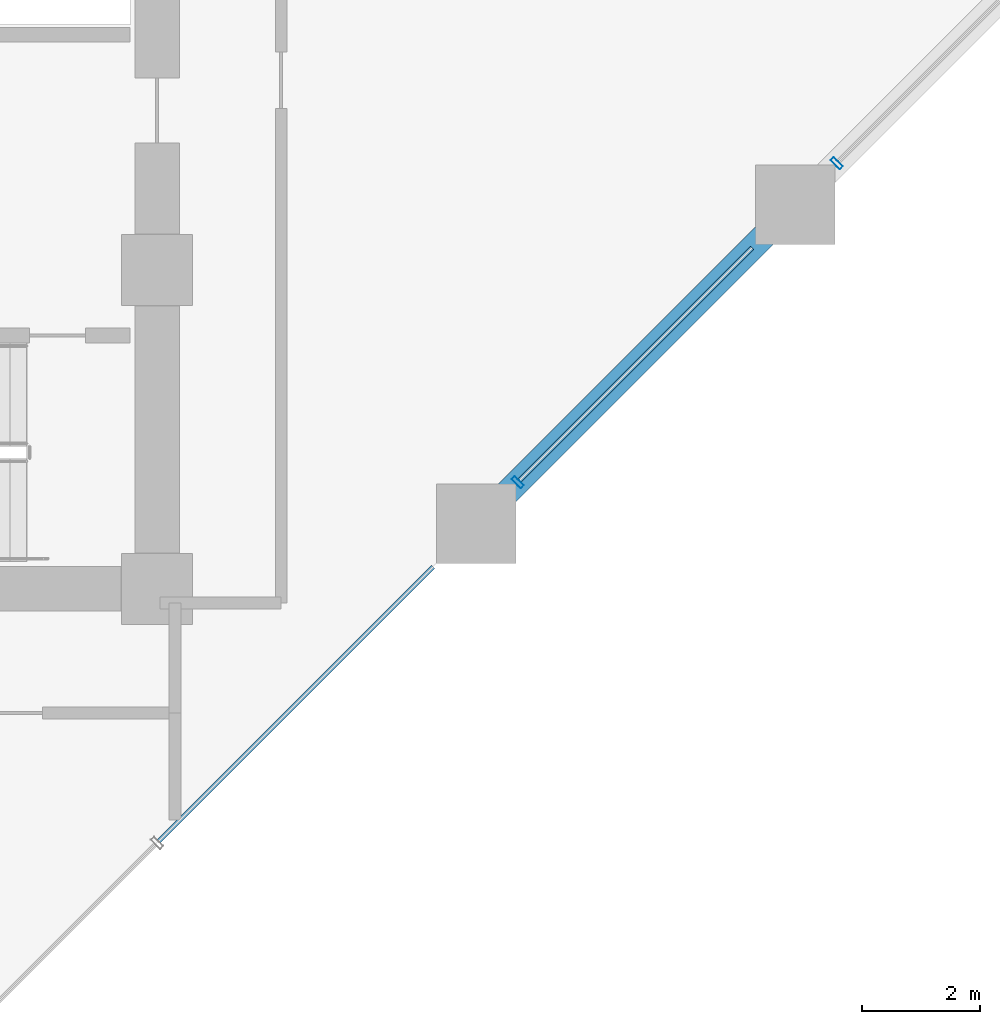
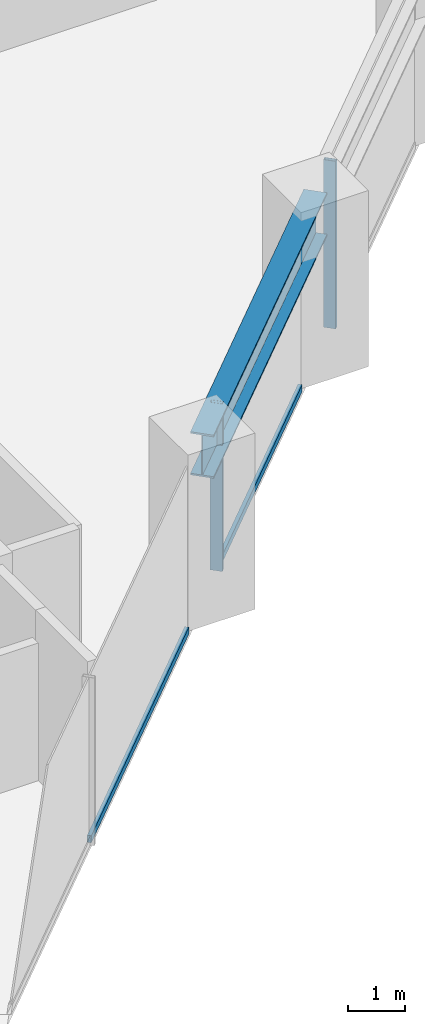
# One storey, part 8 of 25: 4 members, 1 beam, 1 element without a shape of its own.
"""IFC4 building model written with IfcOpenShell, lengths in metres."""

from ifc_helpers import new_model, si_unit, direction, frame, origin, origin_2d, place, context, subcontext, project, spatial, hollow_rectangle, i_section, extrude, material, layer, layer_set, material_profile, profile_set, type_object, element, aggregate, save


model = new_model("IFC4")

# Units and contexts
model_context = context("Model", 3, precision=1e-05, world=origin(), true_north=direction((0.0, 1.0)))
body_context = subcontext(model_context, "Body", "Model", "MODEL_VIEW")
ifc_project = project(units=[si_unit("LENGTHUNIT", "METRE"), si_unit("AREAUNIT", "SQUARE_METRE"), si_unit("VOLUMEUNIT", "CUBIC_METRE"), si_unit("PLANEANGLEUNIT", "RADIAN"), si_unit("MASSUNIT", "GRAM", prefix="KILO")], contexts=[model_context])

# Site, building, storey
site_placement = place(None, origin())
site = spatial("IfcSite", under=ifc_project, at=site_placement, CompositionType="ELEMENT")
building_placement = place(site_placement, origin())
building = spatial("IfcBuilding", under=site, at=building_placement, Name="Surkhivell Harbour Commons", CompositionType="ELEMENT")
storey_placement = place(building_placement, frame((0.0, 0.0, 45.0)))
storey = spatial("IfcBuildingStorey", under=building, at=storey_placement, Name="L11", CompositionType="ELEMENT", Elevation=45.0)

# Beam
ifc_material_1 = material(Name="Steel S460", Category="steel")
ifc_material_profile_1 = material_profile(ifc_material_1, i_section(OverallWidth=0.419921875, OverallDepth=0.9208984375, WebThickness=0.021484375, FlangeThickness=0.03662109375, at=origin_2d()), Name="UB914x419x388")
ifc_profile_set_1 = profile_set([ifc_material_profile_1], Name="Steel S460")
beam_type = type_object("IfcBeamType", Name="BM-SPN-914A", PredefinedType="SPANDREL", material=ifc_profile_set_1)
beam_placement = place(storey_placement, frame((16.199951171875, -9.699951171875, 3.109619140625), z_axis=(0.707122765516, 0.707090796496, 0.0), x_axis=(-0.707090796496, 0.707122765516, 0.0)))
element("IfcBeam", 1, at=beam_placement, inside=storey, type_object=beam_type, Name="L11 Tube Spandrel (16.2,-9.7)", PredefinedType="SPANDREL", context=body_context, shape_type="SweptSolid", body=[
    extrude(i_section(OverallWidth=0.419921875, OverallDepth=0.9208984375, WebThickness=0.021484375, FlangeThickness=0.03662109375, at=origin_2d()), origin(), (0.0, 0.0, 1.0), 7.63671875),
])

# Curtain wall, members
ifc_material_2 = material(Name="Anodised pale-metal aluminium and insulated glazing", Category="aluminium")
ifc_layer = layer(ifc_material_2, 0.219970703125)
ifc_layer_set = layer_set([ifc_layer], Name="Anodised pale-metal aluminium and insulated glazing")
curtain_wall_type = type_object("IfcCurtainWallType", Name="CW-SYS-Z1", PredefinedType="NOTDEFINED", material=ifc_layer_set)
curtain_wall_placement = place(storey_placement, origin())
curtain_wall = element("IfcCurtainWall", 2, at=curtain_wall_placement, inside=storey, type_object=curtain_wall_type, Name="L11 Curtain Wall CW-L11-E01", PredefinedType="NOTDEFINED")
ifc_material_3 = material(Name="Anodised pale-metal aluminium alloy 6063-T6", Category="aluminium")
ifc_material_profile_2 = material_profile(ifc_material_3, hollow_rectangle(XDim=0.074951171875, YDim=0.219970703125, WallThickness=0.00390625, at=origin_2d()), Name="ALU-MULL-75x220")
ifc_profile_set_2 = profile_set([ifc_material_profile_2], Name="Anodised pale-metal aluminium alloy 6063-T6")
member_type_1 = type_object("IfcMemberType", Name="CWM-220", PredefinedType="MULLION", material=ifc_profile_set_2)
member_1_placement = place(storey_placement, frame((16.9033203125, -8.99658203125, 0.0), z_axis=(0.0, 0.0, 1.0), x_axis=(0.707106781187, 0.707106781187, 0.0)))
member_1 = element("IfcMember", 3, at=member_1_placement, type_object=member_type_1, Name="CW-Z1 mullion 4", PredefinedType="MULLION", context=body_context, shape_type="SweptSolid", body=[
    extrude(hollow_rectangle(XDim=0.074951171875, YDim=0.219970703125, WallThickness=0.00390625, at=origin_2d()), origin(), (0.0, 0.0, 1.0), 3.570068359375),
])
member_2_placement = place(storey_placement, frame((22.30322265625, -3.5966796875, 0.0), z_axis=(0.0, 0.0, 1.0), x_axis=(0.707106781187, 0.707106781187, 0.0)))
member_2 = element("IfcMember", 4, at=member_2_placement, type_object=member_type_1, Name="CW-Z1 mullion 5", PredefinedType="MULLION", context=body_context, shape_type="SweptSolid", body=[
    extrude(hollow_rectangle(XDim=0.074951171875, YDim=0.219970703125, WallThickness=0.00390625, at=origin_2d()), origin(), (0.0, 0.0, 1.0), 3.570068359375),
])
ifc_material_profile_3 = material_profile(ifc_material_3, hollow_rectangle(XDim=0.074951171875, YDim=0.14990234375, WallThickness=0.00341796875, at=origin_2d()), Name="ALU-TRAN-75x150")
ifc_profile_set_3 = profile_set([ifc_material_profile_3], Name="Anodised pale-metal aluminium alloy 6063-T6")
member_type_2 = type_object("IfcMemberType", Name="CWT-150", PredefinedType="USERDEFINED", material=ifc_profile_set_3)
member_3_placement = place(storey_placement, frame((10.826416015625, -15.073486328125, 0.074951171875), z_axis=(0.70712536896, 0.707088192925, 0.0), x_axis=(-0.707088192925, 0.70712536896, 0.0)))
member_3 = element("IfcMember", 5, at=member_3_placement, type_object=member_type_2, Name="CW-Z1 transom 3.1", ObjectType="TRANSOM", PredefinedType="USERDEFINED", context=body_context, shape_type="SweptSolid", body=[
    extrude(hollow_rectangle(XDim=0.074951171875, YDim=0.14990234375, WallThickness=0.00341796875, at=origin_2d()), origin(), (0.0, 0.0, 1.0), 6.567138671875),
])
member_4_placement = place(storey_placement, frame((16.929931640625, -8.97021484375, 0.074951171875), z_axis=(0.707084874754, 0.70712868694, 0.0), x_axis=(-0.70712868694, 0.707084874754, 0.0)))
member_4 = element("IfcMember", 6, at=member_4_placement, type_object=member_type_2, Name="CW-Z1 transom 4.1", ObjectType="TRANSOM", PredefinedType="USERDEFINED", context=body_context, shape_type="SweptSolid", body=[
    extrude(hollow_rectangle(XDim=0.074951171875, YDim=0.14990234375, WallThickness=0.00341796875, at=origin_2d()), origin(), (0.0, 0.0, 1.0), 5.572509765625),
])
aggregate(curtain_wall, [member_3, member_1, member_4, member_2])

save(model, "model.ifc")
